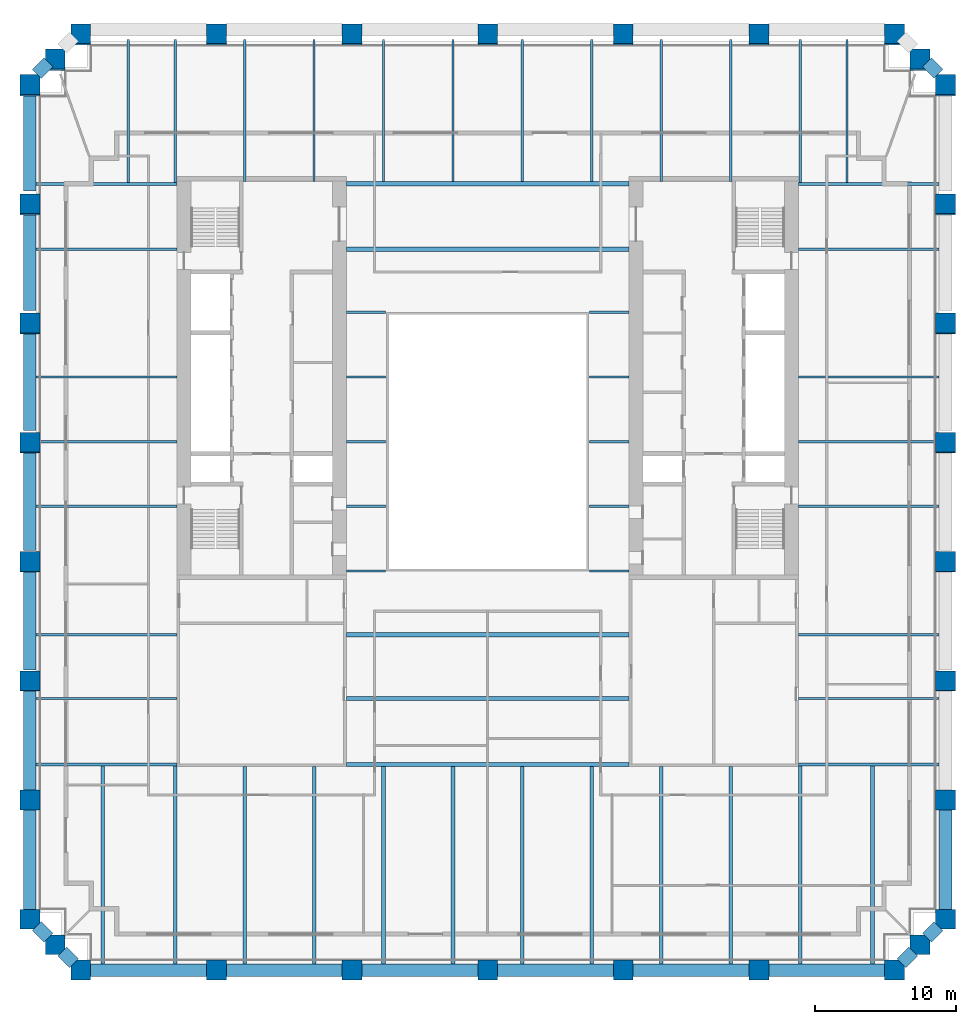
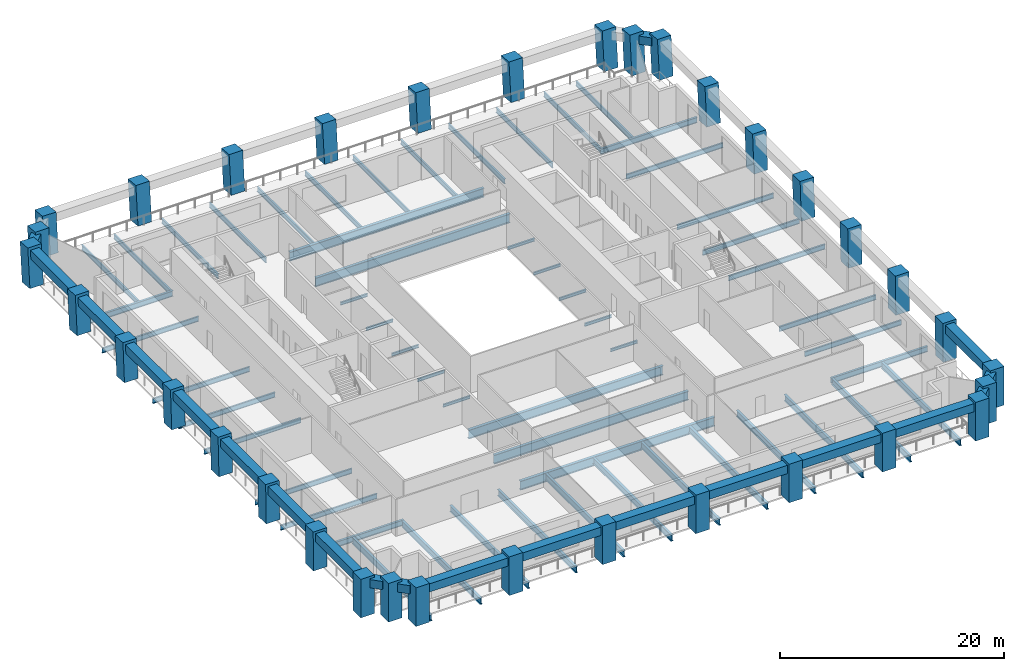
# One storey, part 1 of 8: 75 beams, 34 columns.
"""IFC4 building model written with IfcOpenShell, lengths in metres."""

from ifc_helpers import new_model, si_unit, direction, frame, origin, origin_2d, place, context, subcontext, project, spatial, rectangle, i_section, extrude, material, material_profile, profile_set, type_object, element, save


model = new_model("IFC4")

# Units and contexts
model_context = context("Model", 3, precision=1e-05, world=origin(), true_north=direction((0.0, 1.0)))
body_context = subcontext(model_context, "Body", "Model", "MODEL_VIEW")
ifc_project = project(units=[si_unit("LENGTHUNIT", "METRE"), si_unit("AREAUNIT", "SQUARE_METRE"), si_unit("VOLUMEUNIT", "CUBIC_METRE"), si_unit("PLANEANGLEUNIT", "RADIAN"), si_unit("MASSUNIT", "GRAM", prefix="KILO")], contexts=[model_context])

# Site, building, storey
site_placement = place(None, origin())
site = spatial("IfcSite", under=ifc_project, at=site_placement, CompositionType="ELEMENT")
building_placement = place(site_placement, origin())
building = spatial("IfcBuilding", under=site, at=building_placement, Name="Ogive Exchange Tower", CompositionType="ELEMENT")
storey_placement = place(building_placement, frame((0.0, 0.0, 81.60009765625)))
storey = spatial("IfcBuildingStorey", under=building, at=storey_placement, Name="L17", CompositionType="ELEMENT", Elevation=81.60009765625)

# Columns
ifc_material_1 = material(Name="Precast concrete C70/85 (limestone faced)", Category="masonry")
ifc_material_profile_1 = material_profile(ifc_material_1, rectangle(XDim=1.39990234375, YDim=1.39990234375, at=origin_2d()), Name="1400 x 1400")
ifc_profile_set_1 = profile_set([ifc_material_profile_1], Name="Precast concrete C70/85 (limestone faced)")
column_type = type_object("IfcColumnType", Name="Precast exoskeleton leg 1400 x 1400 C70/85", PredefinedType="COLUMN", material=ifc_profile_set_1)
for number, where, z_axis, x_axis, name in (
    (1, (-28.800048828125, -30.39990234375, 0.0), (0.0, 0.0, 1.0), (1.0, 0.0, 0.0), "Exoskeleton leg 1"),
    (2, (-19.199951171875, -30.39990234375, 0.0), (0.0, 0.0, 1.0), (1.0, 0.0, 0.0), "Exoskeleton leg 2"),
    (3, (-9.60009765625, -30.39990234375, 0.0), (0.0, 0.0, 1.0), (1.0, 0.0, 0.0), "Exoskeleton leg 3"),
    (4, (0.0, -30.39990234375, 0.0), (0.0, 0.0, 1.0), (1.0, 0.0, 0.0), "Exoskeleton leg 4"),
    (5, (9.60009765625, -30.39990234375, 0.0), (0.0, 0.0, 1.0), (1.0, 0.0, 0.0), "Exoskeleton leg 5"),
    (6, (19.199951171875, -30.39990234375, 0.0), (0.0, 0.0, 1.0), (1.0, 0.0, 0.0), "Exoskeleton leg 6"),
    (7, (28.800048828125, -30.39990234375, 0.0), (0.0, 0.0, 1.0), (1.0, 0.0, 0.0), "Exoskeleton leg 7"),
    (8, (32.39990234375, -26.800048828125, 0.0), (0.0, 0.0, 1.0), (1.0, 0.0, 0.0), "Exoskeleton leg 8"),
):
    element("IfcColumn", number, at=place(storey_placement, frame(where, z_axis=z_axis, x_axis=x_axis)), inside=storey, type_object=column_type, Name=name, PredefinedType="COLUMN", context=body_context, shape_type="SweptSolid", body=[
        extrude(rectangle(XDim=1.39990234375, YDim=1.39990234375, at=origin_2d()), origin(), (0.0, 0.0, 1.0), 4.199951171875),
    ])
column_1_placement = place(storey_placement, frame((32.39990234375, -18.376708984375, 0.0), z_axis=(0.0, 0.013019881024, 0.999915237757), x_axis=(-1.0, 0.0, 0.0)))
element("IfcColumn", 9, at=column_1_placement, inside=storey, type_object=column_type, Name="Exoskeleton leg 9", PredefinedType="COLUMN", context=body_context, shape_type="SweptSolid", body=[
    extrude(rectangle(XDim=1.39990234375, YDim=1.39990234375, at=origin_2d()), origin(), (0.0, 0.0, 1.0), 4.2001953125),
])
column_2_placement = place(storey_placement, frame((32.39990234375, -9.953125, 0.0), z_axis=(0.0, 0.025917002136, 0.999664098085), x_axis=(-1.0, 0.0, 0.0)))
element("IfcColumn", 10, at=column_2_placement, inside=storey, type_object=column_type, Name="Exoskeleton leg 10", PredefinedType="COLUMN", context=body_context, shape_type="SweptSolid", body=[
    extrude(rectangle(XDim=1.39990234375, YDim=1.39990234375, at=origin_2d()), origin(), (0.0, 0.0, 1.0), 4.201416015625),
])
column_3_placement = place(storey_placement, frame((32.39990234375, -1.52978515625, 0.0), z_axis=(0.0, 0.038917190853, 0.999242439179), x_axis=(-1.0, 0.0, 0.0)))
element("IfcColumn", 11, at=column_3_placement, inside=storey, type_object=column_type, Name="Exoskeleton leg 11", PredefinedType="COLUMN", context=body_context, shape_type="SweptSolid", body=[
    extrude(rectangle(XDim=1.39990234375, YDim=1.39990234375, at=origin_2d()), origin(), (0.0, 0.0, 1.0), 4.203125),
])
column_4_placement = place(storey_placement, frame((32.39990234375, 6.8935546875, 0.0), z_axis=(0.0, 0.051897648879, 0.99865240902), x_axis=(-1.0, 0.0, 0.0)))
element("IfcColumn", 12, at=column_4_placement, inside=storey, type_object=column_type, Name="Exoskeleton leg 12", PredefinedType="COLUMN", context=body_context, shape_type="SweptSolid", body=[
    extrude(rectangle(XDim=1.39990234375, YDim=1.39990234375, at=origin_2d()), origin(), (0.0, 0.0, 1.0), 4.20556640625),
])
column_5_placement = place(storey_placement, frame((32.39990234375, 15.31689453125, 0.0), z_axis=(0.0, 0.064794093908, 0.997898654872), x_axis=(-1.0, 0.0, 0.0)))
element("IfcColumn", 13, at=column_5_placement, inside=storey, type_object=column_type, Name="Exoskeleton leg 13", PredefinedType="COLUMN", context=body_context, shape_type="SweptSolid", body=[
    extrude(rectangle(XDim=1.39990234375, YDim=1.39990234375, at=origin_2d()), origin(), (0.0, 0.0, 1.0), 4.208740234375),
])
column_6_placement = place(storey_placement, frame((32.39990234375, 23.740234375, 0.0), z_axis=(0.0, 0.077658156178, 0.996980045326), x_axis=(-1.0, 0.0, 0.0)))
element("IfcColumn", 14, at=column_6_placement, inside=storey, type_object=column_type, Name="Exoskeleton leg 14", PredefinedType="COLUMN", context=body_context, shape_type="SweptSolid", body=[
    extrude(rectangle(XDim=1.39990234375, YDim=1.39990234375, at=origin_2d()), origin(), (0.0, 0.0, 1.0), 4.212646484375),
])
for number, where, z_axis, x_axis, name in (
    (15, (32.39990234375, 32.16357421875, 0.0), (0.0, 0.090540965689, 0.995892731941), (-1.0, 0.0, 0.0), "Exoskeleton leg 15"),
    (16, (28.800048828125, 35.763671875, 0.0), (0.0, 0.090540965689, 0.995892731941), (-1.0, 0.0, 0.0), "Exoskeleton leg 16"),
    (17, (19.199951171875, 35.763671875, 0.0), (0.0, 0.090540965689, 0.995892731941), (-1.0, 0.0, 0.0), "Exoskeleton leg 17"),
    (18, (9.60009765625, 35.763671875, 0.0), (0.0, 0.090540965689, 0.995892731941), (-1.0, 0.0, 0.0), "Exoskeleton leg 18"),
    (19, (0.0, 35.763671875, 0.0), (0.0, 0.090540965689, 0.995892731941), (-1.0, 0.0, 0.0), "Exoskeleton leg 19"),
    (20, (-9.60009765625, 35.763671875, 0.0), (0.0, 0.090540965689, 0.995892731941), (-1.0, 0.0, 0.0), "Exoskeleton leg 20"),
    (21, (-19.199951171875, 35.763671875, 0.0), (0.0, 0.090540965689, 0.995892731941), (-1.0, 0.0, 0.0), "Exoskeleton leg 21"),
    (22, (-28.800048828125, 35.763671875, 0.0), (0.0, 0.090540965689, 0.995892731941), (-1.0, 0.0, 0.0), "Exoskeleton leg 22"),
    (23, (-32.39990234375, 32.16357421875, 0.0), (0.0, 0.090540965689, 0.995892731941), (-1.0, 0.0, 0.0), "Exoskeleton leg 23"),
):
    element("IfcColumn", number, at=place(storey_placement, frame(where, z_axis=z_axis, x_axis=x_axis)), inside=storey, type_object=column_type, Name=name, PredefinedType="COLUMN", context=body_context, shape_type="SweptSolid", body=[
        extrude(rectangle(XDim=1.39990234375, YDim=1.39990234375, at=origin_2d()), origin(), (0.0, 0.0, 1.0), 4.21728515625),
    ])
column_7_placement = place(storey_placement, frame((-32.39990234375, 23.740234375, 0.0), z_axis=(0.0, 0.077658156178, 0.996980045326), x_axis=(-1.0, 0.0, 0.0)))
element("IfcColumn", 24, at=column_7_placement, inside=storey, type_object=column_type, Name="Exoskeleton leg 24", PredefinedType="COLUMN", context=body_context, shape_type="SweptSolid", body=[
    extrude(rectangle(XDim=1.39990234375, YDim=1.39990234375, at=origin_2d()), origin(), (0.0, 0.0, 1.0), 4.212646484375),
])
column_8_placement = place(storey_placement, frame((-32.39990234375, 15.31689453125, 0.0), z_axis=(0.0, 0.064794093908, 0.997898654872), x_axis=(-1.0, 0.0, 0.0)))
element("IfcColumn", 25, at=column_8_placement, inside=storey, type_object=column_type, Name="Exoskeleton leg 25", PredefinedType="COLUMN", context=body_context, shape_type="SweptSolid", body=[
    extrude(rectangle(XDim=1.39990234375, YDim=1.39990234375, at=origin_2d()), origin(), (0.0, 0.0, 1.0), 4.208740234375),
])
column_9_placement = place(storey_placement, frame((-32.39990234375, 6.8935546875, 0.0), z_axis=(0.0, 0.051897648879, 0.99865240902), x_axis=(-1.0, 0.0, 0.0)))
element("IfcColumn", 26, at=column_9_placement, inside=storey, type_object=column_type, Name="Exoskeleton leg 26", PredefinedType="COLUMN", context=body_context, shape_type="SweptSolid", body=[
    extrude(rectangle(XDim=1.39990234375, YDim=1.39990234375, at=origin_2d()), origin(), (0.0, 0.0, 1.0), 4.20556640625),
])
column_10_placement = place(storey_placement, frame((-32.39990234375, -1.52978515625, 0.0), z_axis=(0.0, 0.038917190853, 0.999242439179), x_axis=(-1.0, 0.0, 0.0)))
element("IfcColumn", 27, at=column_10_placement, inside=storey, type_object=column_type, Name="Exoskeleton leg 27", PredefinedType="COLUMN", context=body_context, shape_type="SweptSolid", body=[
    extrude(rectangle(XDim=1.39990234375, YDim=1.39990234375, at=origin_2d()), origin(), (0.0, 0.0, 1.0), 4.203125),
])
column_11_placement = place(storey_placement, frame((-32.39990234375, -9.953125, 0.0), z_axis=(0.0, 0.025917002136, 0.999664098085), x_axis=(-1.0, 0.0, 0.0)))
element("IfcColumn", 28, at=column_11_placement, inside=storey, type_object=column_type, Name="Exoskeleton leg 28", PredefinedType="COLUMN", context=body_context, shape_type="SweptSolid", body=[
    extrude(rectangle(XDim=1.39990234375, YDim=1.39990234375, at=origin_2d()), origin(), (0.0, 0.0, 1.0), 4.201416015625),
])
column_12_placement = place(storey_placement, frame((-32.39990234375, -18.376708984375, 0.0), z_axis=(0.0, 0.013019881024, 0.999915237757), x_axis=(-1.0, 0.0, 0.0)))
element("IfcColumn", 29, at=column_12_placement, inside=storey, type_object=column_type, Name="Exoskeleton leg 29", PredefinedType="COLUMN", context=body_context, shape_type="SweptSolid", body=[
    extrude(rectangle(XDim=1.39990234375, YDim=1.39990234375, at=origin_2d()), origin(), (0.0, 0.0, 1.0), 4.2001953125),
])
for number, where, z_axis, x_axis, name in (
    (30, (-32.39990234375, -26.800048828125, 0.0), (0.0, 0.0, 1.0), (1.0, 0.0, 0.0), "Exoskeleton leg 30"),
    (31, (30.60009765625, -28.60009765625, 0.0), (0.0, 0.0, 1.0), (1.0, 0.0, 0.0), "Exoskeleton leg 31"),
):
    element("IfcColumn", number, at=place(storey_placement, frame(where, z_axis=z_axis, x_axis=x_axis)), inside=storey, type_object=column_type, Name=name, PredefinedType="COLUMN", context=body_context, shape_type="SweptSolid", body=[
        extrude(rectangle(XDim=1.39990234375, YDim=1.39990234375, at=origin_2d()), origin(), (0.0, 0.0, 1.0), 4.199951171875),
    ])
for number, where, z_axis, x_axis, name in (
    (32, (30.60009765625, 33.963623046875, 0.0), (0.0, 0.090540965689, 0.995892731941), (-1.0, 0.0, 0.0), "Exoskeleton leg 32"),
    (33, (-30.60009765625, 33.963623046875, 0.0), (0.0, 0.090540965689, 0.995892731941), (-1.0, 0.0, 0.0), "Exoskeleton leg 33"),
):
    element("IfcColumn", number, at=place(storey_placement, frame(where, z_axis=z_axis, x_axis=x_axis)), inside=storey, type_object=column_type, Name=name, PredefinedType="COLUMN", context=body_context, shape_type="SweptSolid", body=[
        extrude(rectangle(XDim=1.39990234375, YDim=1.39990234375, at=origin_2d()), origin(), (0.0, 0.0, 1.0), 4.21728515625),
    ])
column_13_placement = place(storey_placement, frame((-30.60009765625, -28.60009765625, 0.0), z_axis=(0.0, 0.0, 1.0), x_axis=(1.0, 0.0, 0.0)))
element("IfcColumn", 34, at=column_13_placement, inside=storey, type_object=column_type, Name="Exoskeleton leg 34", PredefinedType="COLUMN", context=body_context, shape_type="SweptSolid", body=[
    extrude(rectangle(XDim=1.39990234375, YDim=1.39990234375, at=origin_2d()), origin(), (0.0, 0.0, 1.0), 4.199951171875),
])

# Beams
ifc_material_2 = material(Name="Steel ASTM A992 Gr50", Category="steel")
ifc_material_profile_2 = material_profile(ifc_material_2, i_section(OverallWidth=0.300048828125, OverallDepth=0.969970703125, WebThickness=0.01611328125, FlangeThickness=0.02099609375, at=origin_2d()), Name="W1000x222")
ifc_profile_set_2 = profile_set([ifc_material_profile_2], Name="Steel ASTM A992 Gr50")
beam_type_1 = type_object("IfcBeamType", Name="Floor beam W1000x222", PredefinedType="JOIST", material=ifc_profile_set_2)
for number, where, z_axis, x_axis, name in (
    (35, (-10.0, -11.17822265625, -0.68505859375), (1.0, 0.0, 0.0), (0.0, 1.0, 0.0), "Floor beam"),
    (36, (-10.0, -6.666748046875, -0.68505859375), (1.0, 0.0, 0.0), (0.0, 1.0, 0.0), "Floor beam"),
    (37, (-10.0, 20.62255859375, -0.68505859375), (1.0, 0.0, 0.0), (0.0, 1.0, 0.0), "Floor beam"),
):
    element("IfcBeam", number, at=place(storey_placement, frame(where, z_axis=z_axis, x_axis=x_axis)), inside=storey, type_object=beam_type_1, Name=name, PredefinedType="JOIST", context=body_context, shape_type="SweptSolid", body=[
        extrude(i_section(OverallWidth=0.300048828125, OverallDepth=0.969970703125, WebThickness=0.01611328125, FlangeThickness=0.02099609375, at=origin_2d()), origin(), (0.0, 0.0, 1.0), 20.0),
    ])
ifc_material_profile_3 = material_profile(ifc_material_2, i_section(OverallWidth=0.1650390625, OverallDepth=0.31005859375, WebThickness=0.005859375, FlangeThickness=0.009765625, at=origin_2d()), Name="W310x38.7")
ifc_profile_set_3 = profile_set([ifc_material_profile_3], Name="Steel ASTM A992 Gr50")
beam_type_2 = type_object("IfcBeamType", Name="Floor beam W310x38.7", PredefinedType="JOIST", material=ifc_profile_set_3)
for number, where, z_axis, x_axis, name in (
    (38, (-10.0, 2.422607421875, -0.35498046875), (1.0, 0.0, 0.0), (0.0, 1.0, 0.0), "Floor beam"),
    (39, (7.219970703125, 2.422607421875, -0.35498046875), (1.0, 0.0, 0.0), (0.0, 1.0, 0.0), "Floor beam"),
    (40, (-10.0, 7.0, -0.35498046875), (1.0, 0.0, 0.0), (0.0, 1.0, 0.0), "Floor beam"),
    (41, (7.219970703125, 7.0, -0.35498046875), (1.0, 0.0, 0.0), (0.0, 1.0, 0.0), "Floor beam"),
    (42, (-10.0, 11.577392578125, -0.35498046875), (1.0, 0.0, 0.0), (0.0, 1.0, 0.0), "Floor beam"),
    (43, (7.219970703125, 11.577392578125, -0.35498046875), (1.0, 0.0, 0.0), (0.0, 1.0, 0.0), "Floor beam"),
):
    element("IfcBeam", number, at=place(storey_placement, frame(where, z_axis=z_axis, x_axis=x_axis)), inside=storey, type_object=beam_type_2, Name=name, PredefinedType="JOIST", context=body_context, shape_type="SweptSolid", body=[
        extrude(i_section(OverallWidth=0.1650390625, OverallDepth=0.31005859375, WebThickness=0.005859375, FlangeThickness=0.009765625, at=origin_2d()), origin(), (0.0, 0.0, 1.0), 2.780029296875),
    ])
ifc_material_profile_4 = material_profile(ifc_material_2, i_section(OverallWidth=0.1669921875, OverallDepth=0.535888671875, WebThickness=0.01025390625, FlangeThickness=0.0166015625, at=origin_2d()), Name="W530x85")
ifc_profile_set_4 = profile_set([ifc_material_profile_4], Name="Steel ASTM A992 Gr50")
beam_type_3 = type_object("IfcBeamType", Name="Floor beam W530x85", PredefinedType="JOIST", material=ifc_profile_set_4)
for number, where, z_axis, x_axis, name in (
    (44, (-31.949951171875, -11.17822265625, -0.468017578125), (1.0, 0.0, 0.0), (0.0, 1.0, 0.0), "Floor beam"),
    (45, (22.0, -11.17822265625, -0.468017578125), (1.0, 0.0, 0.0), (0.0, 1.0, 0.0), "Floor beam"),
    (46, (-31.949951171875, -6.666748046875, -0.468017578125), (1.0, 0.0, 0.0), (0.0, 1.0, 0.0), "Floor beam"),
    (47, (22.0, -6.666748046875, -0.468017578125), (1.0, 0.0, 0.0), (0.0, 1.0, 0.0), "Floor beam"),
    (48, (-31.949951171875, 2.422607421875, -0.468017578125), (1.0, 0.0, 0.0), (0.0, 1.0, 0.0), "Floor beam"),
    (49, (22.0, 2.422607421875, -0.468017578125), (1.0, 0.0, 0.0), (0.0, 1.0, 0.0), "Floor beam"),
    (50, (-31.949951171875, 7.0, -0.468017578125), (1.0, 0.0, 0.0), (0.0, 1.0, 0.0), "Floor beam"),
    (51, (22.0, 7.0, -0.468017578125), (1.0, 0.0, 0.0), (0.0, 1.0, 0.0), "Floor beam"),
    (52, (-31.949951171875, 11.577392578125, -0.468017578125), (1.0, 0.0, 0.0), (0.0, 1.0, 0.0), "Floor beam"),
    (53, (22.0, 11.577392578125, -0.468017578125), (1.0, 0.0, 0.0), (0.0, 1.0, 0.0), "Floor beam"),
    (54, (-31.949951171875, 20.62255859375, -0.468017578125), (1.0, 0.0, 0.0), (0.0, 1.0, 0.0), "Floor beam"),
    (55, (22.0, 20.62255859375, -0.468017578125), (1.0, 0.0, 0.0), (0.0, 1.0, 0.0), "Floor beam"),
):
    element("IfcBeam", number, at=place(storey_placement, frame(where, z_axis=z_axis, x_axis=x_axis)), inside=storey, type_object=beam_type_3, Name=name, PredefinedType="JOIST", context=body_context, shape_type="SweptSolid", body=[
        extrude(i_section(OverallWidth=0.1669921875, OverallDepth=0.535888671875, WebThickness=0.01025390625, FlangeThickness=0.0166015625, at=origin_2d()), origin(), (0.0, 0.0, 1.0), 9.949951171875),
    ])
for number, where, z_axis, x_axis, name in (
    (56, (-25.4345703125, 25.35888671875, -0.468017578125), (0.0, 1.0, 0.0), (-1.0, 0.0, 0.0), "Floor beam"),
    (57, (-22.119140625, 25.35888671875, -0.468017578125), (0.0, 1.0, 0.0), (-1.0, 0.0, 0.0), "Floor beam"),
):
    element("IfcBeam", number, at=place(storey_placement, frame(where, z_axis=z_axis, x_axis=x_axis)), inside=storey, type_object=beam_type_3, Name=name, PredefinedType="JOIST", context=body_context, shape_type="SweptSolid", body=[
        extrude(i_section(OverallWidth=0.1669921875, OverallDepth=0.535888671875, WebThickness=0.01025390625, FlangeThickness=0.0166015625, at=origin_2d()), origin(), (0.0, 0.0, 1.0), 10.104736328125),
    ])
for number, where, z_axis, x_axis, name in (
    (58, (-17.203857421875, 25.39990234375, -0.468017578125), (0.0, 1.0, 0.0), (-1.0, 0.0, 0.0), "Floor beam"),
    (59, (-12.28857421875, 25.39990234375, -0.468017578125), (0.0, 1.0, 0.0), (-1.0, 0.0, 0.0), "Floor beam"),
):
    element("IfcBeam", number, at=place(storey_placement, frame(where, z_axis=z_axis, x_axis=x_axis)), inside=storey, type_object=beam_type_3, Name=name, PredefinedType="JOIST", context=body_context, shape_type="SweptSolid", body=[
        extrude(i_section(OverallWidth=0.1669921875, OverallDepth=0.535888671875, WebThickness=0.01025390625, FlangeThickness=0.0166015625, at=origin_2d()), origin(), (0.0, 0.0, 1.0), 10.063720703125),
    ])
for number, where, z_axis, x_axis, name in (
    (60, (-7.373046875, 25.39501953125, -0.468017578125), (0.0, 1.0, 0.0), (-1.0, 0.0, 0.0), "Floor beam"),
    (61, (-2.457763671875, 25.39501953125, -0.468017578125), (0.0, 1.0, 0.0), (-1.0, 0.0, 0.0), "Floor beam"),
    (62, (2.457763671875, 25.39501953125, -0.468017578125), (0.0, 1.0, 0.0), (-1.0, 0.0, 0.0), "Floor beam"),
    (63, (7.373046875, 25.39501953125, -0.468017578125), (0.0, 1.0, 0.0), (-1.0, 0.0, 0.0), "Floor beam"),
):
    element("IfcBeam", number, at=place(storey_placement, frame(where, z_axis=z_axis, x_axis=x_axis)), inside=storey, type_object=beam_type_3, Name=name, PredefinedType="JOIST", context=body_context, shape_type="SweptSolid", body=[
        extrude(i_section(OverallWidth=0.1669921875, OverallDepth=0.535888671875, WebThickness=0.01025390625, FlangeThickness=0.0166015625, at=origin_2d()), origin(), (0.0, 0.0, 1.0), 10.068603515625),
    ])
for number, where, z_axis, x_axis, name in (
    (64, (12.28857421875, 25.39990234375, -0.468017578125), (0.0, 1.0, 0.0), (-1.0, 0.0, 0.0), "Floor beam"),
    (65, (17.203857421875, 25.39990234375, -0.468017578125), (0.0, 1.0, 0.0), (-1.0, 0.0, 0.0), "Floor beam"),
):
    element("IfcBeam", number, at=place(storey_placement, frame(where, z_axis=z_axis, x_axis=x_axis)), inside=storey, type_object=beam_type_3, Name=name, PredefinedType="JOIST", context=body_context, shape_type="SweptSolid", body=[
        extrude(i_section(OverallWidth=0.1669921875, OverallDepth=0.535888671875, WebThickness=0.01025390625, FlangeThickness=0.0166015625, at=origin_2d()), origin(), (0.0, 0.0, 1.0), 10.063720703125),
    ])
for number, where, z_axis, x_axis, name in (
    (66, (22.119140625, 25.35888671875, -0.468017578125), (0.0, 1.0, 0.0), (-1.0, 0.0, 0.0), "Floor beam"),
    (67, (25.4345703125, 25.35888671875, -0.468017578125), (0.0, 1.0, 0.0), (-1.0, 0.0, 0.0), "Floor beam"),
):
    element("IfcBeam", number, at=place(storey_placement, frame(where, z_axis=z_axis, x_axis=x_axis)), inside=storey, type_object=beam_type_3, Name=name, PredefinedType="JOIST", context=body_context, shape_type="SweptSolid", body=[
        extrude(i_section(OverallWidth=0.1669921875, OverallDepth=0.535888671875, WebThickness=0.01025390625, FlangeThickness=0.0166015625, at=origin_2d()), origin(), (0.0, 0.0, 1.0), 10.104736328125),
    ])
ifc_material_profile_5 = material_profile(ifc_material_2, i_section(OverallWidth=0.25390625, OverallDepth=0.677978515625, WebThickness=0.01171875, FlangeThickness=0.016357421875, at=origin_2d()), Name="W690x125")
ifc_profile_set_5 = profile_set([ifc_material_profile_5], Name="Steel ASTM A992 Gr50")
beam_type_4 = type_object("IfcBeamType", Name="Floor beam W690x125", PredefinedType="JOIST", material=ifc_profile_set_5)
for number, where, z_axis, x_axis, name in (
    (68, (-27.234619140625, -29.949951171875, -0.5390625), (0.0, 1.0, 0.0), (-1.0, 0.0, 0.0), "Floor beam"),
    (69, (-22.119140625, -29.949951171875, -0.5390625), (0.0, 1.0, 0.0), (-1.0, 0.0, 0.0), "Floor beam"),
):
    element("IfcBeam", number, at=place(storey_placement, frame(where, z_axis=z_axis, x_axis=x_axis)), inside=storey, type_object=beam_type_4, Name=name, PredefinedType="JOIST", context=body_context, shape_type="SweptSolid", body=[
        extrude(i_section(OverallWidth=0.25390625, OverallDepth=0.677978515625, WebThickness=0.01171875, FlangeThickness=0.016357421875, at=origin_2d()), origin(), (0.0, 0.0, 1.0), 13.990966796875),
    ])
for number, where, z_axis, x_axis, name in (
    (70, (-17.203857421875, -29.949951171875, -0.5390625), (0.0, 1.0, 0.0), (-1.0, 0.0, 0.0), "Floor beam"),
    (71, (-12.28857421875, -29.949951171875, -0.5390625), (0.0, 1.0, 0.0), (-1.0, 0.0, 0.0), "Floor beam"),
):
    element("IfcBeam", number, at=place(storey_placement, frame(where, z_axis=z_axis, x_axis=x_axis)), inside=storey, type_object=beam_type_4, Name=name, PredefinedType="JOIST", context=body_context, shape_type="SweptSolid", body=[
        extrude(i_section(OverallWidth=0.25390625, OverallDepth=0.677978515625, WebThickness=0.01171875, FlangeThickness=0.016357421875, at=origin_2d()), origin(), (0.0, 0.0, 1.0), 13.949951171875),
    ])
for number, where, z_axis, x_axis, name in (
    (72, (-7.373046875, -29.949951171875, -0.5390625), (0.0, 1.0, 0.0), (-1.0, 0.0, 0.0), "Floor beam"),
    (73, (-2.457763671875, -29.949951171875, -0.5390625), (0.0, 1.0, 0.0), (-1.0, 0.0, 0.0), "Floor beam"),
    (74, (2.457763671875, -29.949951171875, -0.5390625), (0.0, 1.0, 0.0), (-1.0, 0.0, 0.0), "Floor beam"),
    (75, (7.373046875, -29.949951171875, -0.5390625), (0.0, 1.0, 0.0), (-1.0, 0.0, 0.0), "Floor beam"),
):
    element("IfcBeam", number, at=place(storey_placement, frame(where, z_axis=z_axis, x_axis=x_axis)), inside=storey, type_object=beam_type_4, Name=name, PredefinedType="JOIST", context=body_context, shape_type="SweptSolid", body=[
        extrude(i_section(OverallWidth=0.25390625, OverallDepth=0.677978515625, WebThickness=0.01171875, FlangeThickness=0.016357421875, at=origin_2d()), origin(), (0.0, 0.0, 1.0), 13.954833984375),
    ])
for number, where, z_axis, x_axis, name in (
    (76, (12.28857421875, -29.949951171875, -0.5390625), (0.0, 1.0, 0.0), (-1.0, 0.0, 0.0), "Floor beam"),
    (77, (17.203857421875, -29.949951171875, -0.5390625), (0.0, 1.0, 0.0), (-1.0, 0.0, 0.0), "Floor beam"),
):
    element("IfcBeam", number, at=place(storey_placement, frame(where, z_axis=z_axis, x_axis=x_axis)), inside=storey, type_object=beam_type_4, Name=name, PredefinedType="JOIST", context=body_context, shape_type="SweptSolid", body=[
        extrude(i_section(OverallWidth=0.25390625, OverallDepth=0.677978515625, WebThickness=0.01171875, FlangeThickness=0.016357421875, at=origin_2d()), origin(), (0.0, 0.0, 1.0), 13.949951171875),
    ])
for number, where, z_axis, x_axis, name in (
    (78, (22.119140625, -29.949951171875, -0.5390625), (0.0, 1.0, 0.0), (-1.0, 0.0, 0.0), "Floor beam"),
    (79, (27.234619140625, -29.949951171875, -0.5390625), (0.0, 1.0, 0.0), (-1.0, 0.0, 0.0), "Floor beam"),
):
    element("IfcBeam", number, at=place(storey_placement, frame(where, z_axis=z_axis, x_axis=x_axis)), inside=storey, type_object=beam_type_4, Name=name, PredefinedType="JOIST", context=body_context, shape_type="SweptSolid", body=[
        extrude(i_section(OverallWidth=0.25390625, OverallDepth=0.677978515625, WebThickness=0.01171875, FlangeThickness=0.016357421875, at=origin_2d()), origin(), (0.0, 0.0, 1.0), 13.990966796875),
    ])
ifc_material_profile_6 = material_profile(ifc_material_2, i_section(OverallWidth=0.300048828125, OverallDepth=0.97998046875, WebThickness=0.0166015625, FlangeThickness=0.026123046875, at=origin_2d()), Name="W1000x249")
ifc_profile_set_6 = profile_set([ifc_material_profile_6], Name="Steel ASTM A992 Gr50")
beam_type_5 = type_object("IfcBeamType", Name="Girder W1000x249", PredefinedType="BEAM", material=ifc_profile_set_6)
for number, where, z_axis, x_axis, name in (
    (80, (-10.0, -15.844970703125, -0.690185546875), (1.0, 0.0, 0.0), (0.0, 1.0, 0.0), "Header girder"),
    (81, (-10.0, 25.2451171875, -0.690185546875), (1.0, 0.0, 0.0), (0.0, 1.0, 0.0), "Header girder"),
):
    element("IfcBeam", number, at=place(storey_placement, frame(where, z_axis=z_axis, x_axis=x_axis)), inside=storey, type_object=beam_type_5, Name=name, PredefinedType="BEAM", context=body_context, shape_type="SweptSolid", body=[
        extrude(i_section(OverallWidth=0.300048828125, OverallDepth=0.97998046875, WebThickness=0.0166015625, FlangeThickness=0.026123046875, at=origin_2d()), origin(), (0.0, 0.0, 1.0), 20.0),
    ])
ifc_material_profile_7 = material_profile(ifc_material_2, i_section(OverallWidth=0.1650390625, OverallDepth=0.31005859375, WebThickness=0.005859375, FlangeThickness=0.009765625, at=origin_2d()), Name="W310x38.7")
ifc_profile_set_7 = profile_set([ifc_material_profile_7], Name="Steel ASTM A992 Gr50")
beam_type_6 = type_object("IfcBeamType", Name="Girder W310x38.7", PredefinedType="BEAM", material=ifc_profile_set_7)
for number, where, z_axis, x_axis, name in (
    (82, (-10.0, -2.155029296875, -0.35498046875), (1.0, 0.0, 0.0), (0.0, 1.0, 0.0), "Trimmer girder"),
    (83, (7.219970703125, -2.155029296875, -0.35498046875), (1.0, 0.0, 0.0), (0.0, 1.0, 0.0), "Trimmer girder"),
    (84, (-10.0, 16.155029296875, -0.35498046875), (1.0, 0.0, 0.0), (0.0, 1.0, 0.0), "Trimmer girder"),
    (85, (7.219970703125, 16.155029296875, -0.35498046875), (1.0, 0.0, 0.0), (0.0, 1.0, 0.0), "Trimmer girder"),
):
    element("IfcBeam", number, at=place(storey_placement, frame(where, z_axis=z_axis, x_axis=x_axis)), inside=storey, type_object=beam_type_6, Name=name, PredefinedType="BEAM", context=body_context, shape_type="SweptSolid", body=[
        extrude(i_section(OverallWidth=0.1650390625, OverallDepth=0.31005859375, WebThickness=0.005859375, FlangeThickness=0.009765625, at=origin_2d()), origin(), (0.0, 0.0, 1.0), 2.780029296875),
    ])
ifc_material_profile_8 = material_profile(ifc_material_2, i_section(OverallWidth=0.22802734375, OverallDepth=0.60205078125, WebThickness=0.010498046875, FlangeThickness=0.014892578125, at=origin_2d()), Name="W610x101")
ifc_profile_set_8 = profile_set([ifc_material_profile_8], Name="Steel ASTM A992 Gr50")
beam_type_7 = type_object("IfcBeamType", Name="Girder W610x101", PredefinedType="BEAM", material=ifc_profile_set_8)
for number, where, z_axis, x_axis, name in (
    (86, (-31.949951171875, -15.844970703125, -0.5009765625), (1.0, 0.0, 0.0), (0.0, 1.0, 0.0), "Header girder"),
    (87, (22.0, -15.844970703125, -0.5009765625), (1.0, 0.0, 0.0), (0.0, 1.0, 0.0), "Header girder"),
    (88, (-31.949951171875, 25.2451171875, -0.5009765625), (1.0, 0.0, 0.0), (0.0, 1.0, 0.0), "Header girder"),
    (89, (22.0, 25.2451171875, -0.5009765625), (1.0, 0.0, 0.0), (0.0, 1.0, 0.0), "Header girder"),
):
    element("IfcBeam", number, at=place(storey_placement, frame(where, z_axis=z_axis, x_axis=x_axis)), inside=storey, type_object=beam_type_7, Name=name, PredefinedType="BEAM", context=body_context, shape_type="SweptSolid", body=[
        extrude(i_section(OverallWidth=0.22802734375, OverallDepth=0.60205078125, WebThickness=0.010498046875, FlangeThickness=0.014892578125, at=origin_2d()), origin(), (0.0, 0.0, 1.0), 9.949951171875),
    ])
ifc_material_profile_9 = material_profile(ifc_material_1, rectangle(XDim=0.89990234375, YDim=0.89990234375, at=origin_2d()), Name="900 x 900")
ifc_profile_set_9 = profile_set([ifc_material_profile_9], Name="Precast concrete C70/85 (limestone faced)")
beam_type_8 = type_object("IfcBeamType", Name="Precast spandrel 900 x 900 C70/85", PredefinedType="SPANDREL", material=ifc_profile_set_9)
beam_1_placement = place(storey_placement, frame((-28.1201171875, -30.39990234375, 3.5), z_axis=(1.0, 0.0, 0.0), x_axis=(0.0, 1.0, 0.0)))
element("IfcBeam", 90, at=beam_1_placement, inside=storey, type_object=beam_type_8, Name="Spandrel 1", PredefinedType="SPANDREL", context=body_context, shape_type="SweptSolid", body=[
    extrude(rectangle(XDim=0.89990234375, YDim=0.89990234375, at=origin_2d()), origin(), (0.0, 0.0, 1.0), 8.240234375),
])
for number, where, z_axis, x_axis, name in (
    (91, (-18.52001953125, -30.39990234375, 3.5), (1.0, 0.0, 0.0), (0.0, 1.0, 0.0), "Spandrel 2"),
    (92, (-8.919921875, -30.39990234375, 3.5), (1.0, 0.0, 0.0), (0.0, 1.0, 0.0), "Spandrel 3"),
    (93, (0.679931640625, -30.39990234375, 3.5), (1.0, 0.0, 0.0), (0.0, 1.0, 0.0), "Spandrel 4"),
    (94, (10.280029296875, -30.39990234375, 3.5), (1.0, 0.0, 0.0), (0.0, 1.0, 0.0), "Spandrel 5"),
):
    element("IfcBeam", number, at=place(storey_placement, frame(where, z_axis=z_axis, x_axis=x_axis)), inside=storey, type_object=beam_type_8, Name=name, PredefinedType="SPANDREL", context=body_context, shape_type="SweptSolid", body=[
        extrude(rectangle(XDim=0.89990234375, YDim=0.89990234375, at=origin_2d()), origin(), (0.0, 0.0, 1.0), 8.239990234375),
    ])
beam_2_placement = place(storey_placement, frame((19.8798828125, -30.39990234375, 3.5), z_axis=(1.0, 0.0, 0.0), x_axis=(0.0, 1.0, 0.0)))
element("IfcBeam", 95, at=beam_2_placement, inside=storey, type_object=beam_type_8, Name="Spandrel 6", PredefinedType="SPANDREL", context=body_context, shape_type="SweptSolid", body=[
    extrude(rectangle(XDim=0.89990234375, YDim=0.89990234375, at=origin_2d()), origin(), (0.0, 0.0, 1.0), 8.240234375),
])
for number, where, z_axis, x_axis, name in (
    (96, (29.287841796875, -29.912109375, 3.5), (0.707106781187, 0.707106781187, 0.0), (-0.707106781187, 0.707106781187, 0.0), "Spandrel 7"),
    (97, (31.087890625, -28.112060546875, 3.5), (0.707106781187, 0.707106781187, 0.0), (-0.707106781187, 0.707106781187, 0.0), "Spandrel 8"),
):
    element("IfcBeam", number, at=place(storey_placement, frame(where, z_axis=z_axis, x_axis=x_axis)), inside=storey, type_object=beam_type_8, Name=name, PredefinedType="SPANDREL", context=body_context, shape_type="SweptSolid", body=[
        extrude(rectangle(XDim=0.89990234375, YDim=0.89990234375, at=origin_2d()), origin(), (0.0, 0.0, 1.0), 1.16552734375),
    ])
beam_3_placement = place(storey_placement, frame((32.39990234375, -26.1201171875, 3.5), z_axis=(0.0, 1.0, 0.0), x_axis=(-1.0, 0.0, 0.0)))
element("IfcBeam", 98, at=beam_3_placement, inside=storey, type_object=beam_type_8, Name="Spandrel 9", PredefinedType="SPANDREL", context=body_context, shape_type="SweptSolid", body=[
    extrude(rectangle(XDim=0.89990234375, YDim=0.89990234375, at=origin_2d()), origin(), (0.0, 0.0, 1.0), 7.117919921875),
])
for number, where, z_axis, x_axis, name in (
    (99, (31.912109375, 33.033203125, 3.5), (-0.707002063412, 0.707211483455, 0.0), (-0.707211483455, -0.707002063412, 0.0), "Spandrel 16"),
    (100, (-31.087890625, 33.857666015625, 3.5), (-0.707002063412, -0.707211483455, 0.0), (0.707211483455, -0.707002063412, 0.0), "Spandrel 25"),
):
    element("IfcBeam", number, at=place(storey_placement, frame(where, z_axis=z_axis, x_axis=x_axis)), inside=storey, type_object=beam_type_8, Name=name, PredefinedType="SPANDREL", context=body_context, shape_type="SweptSolid", body=[
        extrude(rectangle(XDim=0.89990234375, YDim=0.89990234375, at=origin_2d()), origin(), (0.0, 0.0, 1.0), 1.165771484375),
    ])
for number, where, z_axis, x_axis, name in (
    (101, (-32.39990234375, 31.865478515625, 3.5), (0.0, -1.0, 0.0), (1.0, 0.0, 0.0), "Spandrel 26"),
    (102, (-32.39990234375, 23.387451171875, 3.5), (0.0, -1.0, 0.0), (1.0, 0.0, 0.0), "Spandrel 27"),
    (103, (-32.39990234375, 14.90966796875, 3.5), (0.0, -1.0, 0.0), (1.0, 0.0, 0.0), "Spandrel 28"),
    (104, (-32.39990234375, 6.431640625, 3.5), (0.0, -1.0, 0.0), (1.0, 0.0, 0.0), "Spandrel 29"),
):
    element("IfcBeam", number, at=place(storey_placement, frame(where, z_axis=z_axis, x_axis=x_axis)), inside=storey, type_object=beam_type_8, Name=name, PredefinedType="SPANDREL", context=body_context, shape_type="SweptSolid", body=[
        extrude(rectangle(XDim=0.89990234375, YDim=0.89990234375, at=origin_2d()), origin(), (0.0, 0.0, 1.0), 7.117919921875),
    ])
beam_4_placement = place(storey_placement, frame((-32.39990234375, -2.046142578125, 3.5), z_axis=(0.0, -1.0, 0.0), x_axis=(1.0, 0.0, 0.0)))
element("IfcBeam", 105, at=beam_4_placement, inside=storey, type_object=beam_type_8, Name="Spandrel 30", PredefinedType="SPANDREL", context=body_context, shape_type="SweptSolid", body=[
    extrude(rectangle(XDim=0.89990234375, YDim=0.89990234375, at=origin_2d()), origin(), (0.0, 0.0, 1.0), 7.1181640625),
])
for number, where, z_axis, x_axis, name in (
    (106, (-32.39990234375, -10.524169921875, 3.5), (0.0, -1.0, 0.0), (1.0, 0.0, 0.0), "Spandrel 31"),
    (107, (-32.39990234375, -19.002197265625, 3.5), (0.0, -1.0, 0.0), (1.0, 0.0, 0.0), "Spandrel 32"),
):
    element("IfcBeam", number, at=place(storey_placement, frame(where, z_axis=z_axis, x_axis=x_axis)), inside=storey, type_object=beam_type_8, Name=name, PredefinedType="SPANDREL", context=body_context, shape_type="SweptSolid", body=[
        extrude(rectangle(XDim=0.89990234375, YDim=0.89990234375, at=origin_2d()), origin(), (0.0, 0.0, 1.0), 7.117919921875),
    ])
for number, where, z_axis, x_axis, name in (
    (108, (-31.912109375, -27.287841796875, 3.5), (0.707106781187, -0.707106781187, 0.0), (0.707106781187, 0.707106781187, 0.0), "Spandrel 33"),
    (109, (-30.112060546875, -29.087890625, 3.5), (0.707106781187, -0.707106781187, 0.0), (0.707106781187, 0.707106781187, 0.0), "Spandrel 34"),
):
    element("IfcBeam", number, at=place(storey_placement, frame(where, z_axis=z_axis, x_axis=x_axis)), inside=storey, type_object=beam_type_8, Name=name, PredefinedType="SPANDREL", context=body_context, shape_type="SweptSolid", body=[
        extrude(rectangle(XDim=0.89990234375, YDim=0.89990234375, at=origin_2d()), origin(), (0.0, 0.0, 1.0), 1.16552734375),
    ])

save(model, "model.ifc")
